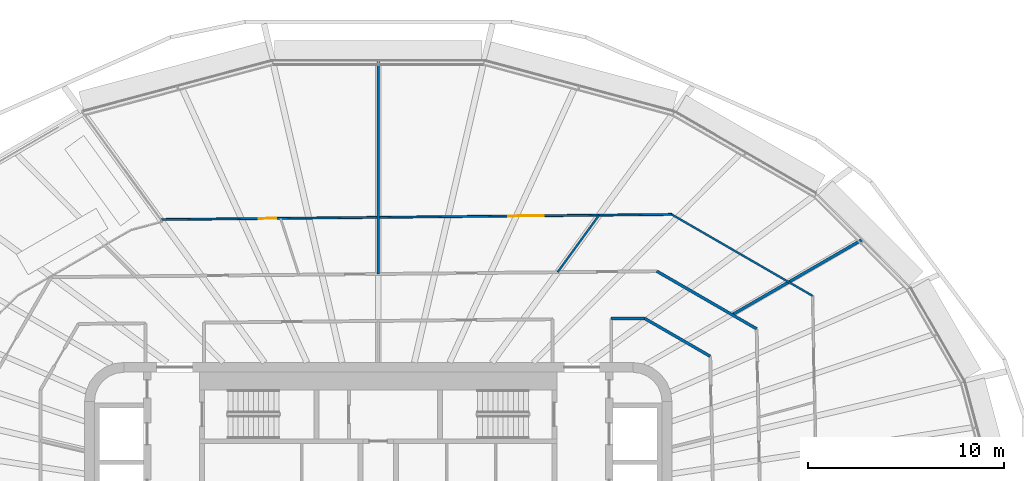
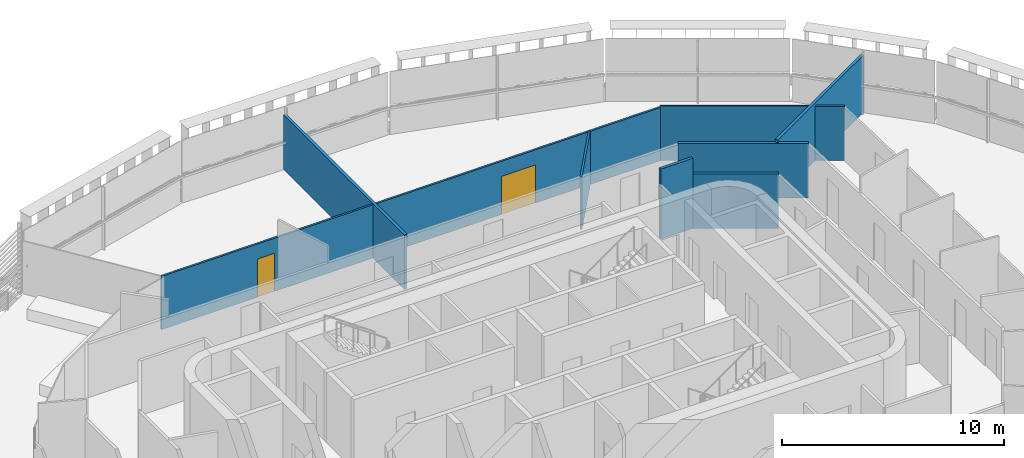
# One storey, part 15 of 23: 8 walls, 2 doors, 2 openings.
"""IFC4 building model written with IfcOpenShell, lengths in metres."""

from ifc_helpers import new_model, si_unit, direction, frame, frame_2d, origin, place, context, subcontext, project, spatial, rectangle, extrude, material, layer, layer_set, type_object, element, fill, save


model = new_model("IFC4")

# Units and contexts
model_context = context("Model", 3, precision=1e-05, world=origin(), true_north=direction((0.0, 1.0)))
body_context = subcontext(model_context, "Body", "Model", "MODEL_VIEW")
ifc_project = project(units=[si_unit("LENGTHUNIT", "METRE"), si_unit("AREAUNIT", "SQUARE_METRE"), si_unit("VOLUMEUNIT", "CUBIC_METRE"), si_unit("PLANEANGLEUNIT", "RADIAN"), si_unit("MASSUNIT", "GRAM", prefix="KILO")], contexts=[model_context])

# Site, building, storey
site_placement = place(None, origin())
site = spatial("IfcSite", under=ifc_project, at=site_placement, CompositionType="ELEMENT")
building_placement = place(site_placement, origin())
building = spatial("IfcBuilding", under=site, at=building_placement, Name="Sahrelin Media Tower", CompositionType="ELEMENT")
storey_placement = place(building_placement, frame((0.0, 0.0, 169.60009765625)))
storey = spatial("IfcBuildingStorey", under=building, at=storey_placement, Name="L35", CompositionType="ELEMENT", Elevation=169.60009765625)

# Walls
ifc_material_1 = material(Name="Fire-rated gypsum board partition")
ifc_layer_1 = layer(ifc_material_1, 0.14990234375)
ifc_layer_set_1 = layer_set([ifc_layer_1], Name="Fire-rated partition 150")
wall_type_1 = type_object("IfcWallType", Name="Fire-rated partition 150", PredefinedType="PARTITIONING", material=ifc_layer_set_1)
wall_1_placement = place(storey_placement, frame((13.593017578125, 10.256103515625, 0.0), z_axis=(0.0, 0.0, 1.0), x_axis=(0.86597823907, -0.500081682786, 0.0)))
element("IfcWall", 1, at=wall_1_placement, inside=storey, type_object=wall_type_1, Name="Wall", PredefinedType="PARTITIONING", context=body_context, shape_type="SweptSolid", body=[
    extrude(rectangle(XDim=3.882568359375, YDim=0.14990234375, at=frame_2d((1.94140625, 0.0))), origin(), (0.0, 0.0, 1.0), 2.994873046875),
])
wall_2_placement = place(storey_placement, frame((14.22509765625, 12.662109375, 0.0), z_axis=(0.0, 0.0, 1.0), x_axis=(0.865969566972, -0.500096699728, 0.0)))
element("IfcWall", 2, at=wall_2_placement, inside=storey, type_object=wall_type_1, Name="Wall", PredefinedType="PARTITIONING", context=body_context, shape_type="SweptSolid", body=[
    extrude(rectangle(XDim=5.891357421875, YDim=0.14990234375, at=frame_2d((2.94580078125, 0.0))), origin(), (0.0, 0.0, 1.0), 2.994873046875),
])
wall_3_placement = place(storey_placement, frame((11.89990234375, 10.239013671875, 0.0), z_axis=(0.0, 0.0, 1.0), x_axis=(0.999951931166, 0.009804863925, 0.0)))
element("IfcWall", 3, at=wall_3_placement, inside=storey, type_object=wall_type_1, Name="Wall", PredefinedType="PARTITIONING", context=body_context, shape_type="SweptSolid", body=[
    extrude(rectangle(XDim=1.693115234375, YDim=0.14990234375, at=frame_2d((0.8466796875, 0.0))), origin(), (0.0, 0.0, 1.0), 3.849853515625),
])
wall_4_placement = place(storey_placement, frame((18.077880859375, 10.43701171875, 0.0), z_axis=(0.0, 0.0, 1.0), x_axis=(0.865997546841, 0.500048246539, 0.0)))
element("IfcWall", 4, at=wall_4_placement, inside=storey, type_object=wall_type_1, Name="Wall", PredefinedType="PARTITIONING", context=body_context, shape_type="SweptSolid", body=[
    extrude(rectangle(XDim=7.697509765625, YDim=0.14990234375, at=frame_2d((3.8486328125, 0.0))), origin(), (0.0, 0.0, 1.0), 3.15185546875),
])
wall_5_placement = place(storey_placement, frame((0.0, 12.52099609375, 0.0), z_axis=(0.0, 0.0, 1.0), x_axis=(0.0, 1.0, 0.0)))
element("IfcWall", 5, at=wall_5_placement, inside=storey, type_object=wall_type_1, Name="Wall", PredefinedType="PARTITIONING", context=body_context, shape_type="SweptSolid", body=[
    extrude(rectangle(XDim=10.907958984375, YDim=0.14990234375, at=frame_2d((5.4541015625, 0.0))), origin(), (0.0, 0.0, 1.0), 2.994873046875),
])
ifc_material_2 = material(Name="Gypsum board partition")
ifc_layer_2 = layer(ifc_material_2, 0.10009765625)
ifc_layer_set_2 = layer_set([ifc_layer_2], Name="Partition 100")
wall_type_2 = type_object("IfcWallType", Name="Partition 100", PredefinedType="PARTITIONING", material=ifc_layer_set_2)
wall_6_placement = place(storey_placement, frame((14.986083984375, 15.56005859375, 0.0), z_axis=(0.0, 0.0, 1.0), x_axis=(0.865930670747, -0.500164046549, 0.0)))
element("IfcWall", 6, at=wall_6_placement, inside=storey, type_object=wall_type_2, Name="Wall", PredefinedType="PARTITIONING", context=body_context, shape_type="SweptSolid", body=[
    extrude(rectangle(XDim=8.310791015625, YDim=0.10009765625, at=frame_2d((4.1552734375, 0.0))), origin(), (0.0, 0.0, 1.0), 2.994873046875),
])

# Wall, openings, doors
wall_7_placement = place(storey_placement, frame((-11.118896484375, 15.300048828125, 0.0), z_axis=(0.0, 0.0, 1.0), x_axis=(0.999950401303, 0.009959665352, 0.0)))
wall_7 = element("IfcWall", 7, at=wall_7_placement, inside=storey, type_object=wall_type_2, Name="Wall", PredefinedType="PARTITIONING", context=body_context, shape_type="SweptSolid", body=[
    extrude(rectangle(XDim=26.106201171875, YDim=0.10009765625, at=frame_2d((13.05322265625, 0.0))), origin(), (0.0, 0.0, 1.0), 2.927001953125),
])
opening_1_placement = place(wall_7_placement, frame((17.762939453125, 0.0, 0.0)))
opening_1 = element("IfcOpeningElement", 8, at=opening_1_placement, cuts=wall_7, Name="Opening L35-D49", PredefinedType="OPENING", context=body_context, shape_type="SweptSolid", body=[
    extrude(rectangle(XDim=1.800048828125, YDim=2.10009765625, at=frame_2d((0.89990234375, 1.050048828125))), frame((0.0, 0.050048828125, 0.0), z_axis=(0.0, -1.0, 0.0), x_axis=(1.0, 0.0, 0.0)), (0.0, 0.0, 1.0), 0.10009765625),
])
opening_2_placement = place(wall_7_placement, frame((5.009765625, 0.0, 0.0)))
opening_2 = element("IfcOpeningElement", 9, at=opening_2_placement, cuts=wall_7, Name="Opening L35-D52", PredefinedType="OPENING", context=body_context, shape_type="SweptSolid", body=[
    extrude(rectangle(XDim=0.89990234375, YDim=2.10009765625, at=frame_2d((0.449951171875, 1.050048828125))), frame((0.0, 0.050048828125, 0.0), z_axis=(0.0, -1.0, 0.0), x_axis=(1.0, 0.0, 0.0)), (0.0, 0.0, 1.0), 0.10009765625),
])
ifc_material_3 = material(Name="Timber door leaf", Category="wood")
door_type_1 = type_object("IfcDoorType", Name="Double door 1800 x 2100", OperationType="DOUBLE_DOOR_SINGLE_SWING", PredefinedType="DOOR", material=ifc_material_3)
door_1_placement = place(opening_1_placement, origin())
door_1 = element("IfcDoor", 10, at=door_1_placement, inside=storey, type_object=door_type_1, Name="Double door", OperationType="DOUBLE_DOOR_SINGLE_SWING", OverallHeight=2.10009765625, OverallWidth=1.800048828125, PredefinedType="DOOR", context=body_context, shape_type="SweptSolid", body=[
    extrude(rectangle(XDim=1.800048828125, YDim=2.10009765625, at=frame_2d((0.89990234375, 1.050048828125))), frame((0.0, 0.02490234375, 0.0), z_axis=(0.0, -1.0, 0.0), x_axis=(1.0, 0.0, 0.0)), (0.0, 0.0, 1.0), 0.050048828125),
])
fill(opening_1, door_1)
door_type_2 = type_object("IfcDoorType", Name="Single door 900 x 2100", OperationType="NOTDEFINED", PredefinedType="DOOR", material=ifc_material_3)
door_2_placement = place(opening_2_placement, origin())
door_2 = element("IfcDoor", 11, at=door_2_placement, inside=storey, type_object=door_type_2, Name="Single door", OperationType="SINGLE_SWING_RIGHT", OverallHeight=2.10009765625, OverallWidth=0.89990234375, PredefinedType="DOOR", context=body_context, shape_type="SweptSolid", body=[
    extrude(rectangle(XDim=0.89990234375, YDim=2.10009765625, at=frame_2d((0.449951171875, 1.050048828125))), frame((0.0, 0.02490234375, 0.0), z_axis=(0.0, -1.0, 0.0), x_axis=(1.0, 0.0, 0.0)), (0.0, 0.0, 1.0), 0.050048828125),
])
fill(opening_2, door_2)

# Wall
wall_8_placement = place(storey_placement, frame((9.1630859375, 12.612060546875, 0.0), z_axis=(0.0, 0.0, 1.0), x_axis=(0.587804501094, 0.809003008952, 0.0)))
element("IfcWall", 12, at=wall_8_placement, inside=storey, type_object=wall_type_2, Name="Wall", PredefinedType="PARTITIONING", context=body_context, shape_type="SweptSolid", body=[
    extrude(rectangle(XDim=3.59814453125, YDim=0.10009765625, at=frame_2d((1.799072265625, 0.0))), origin(), (0.0, 0.0, 1.0), 2.927001953125),
])

save(model, "model.ifc")
